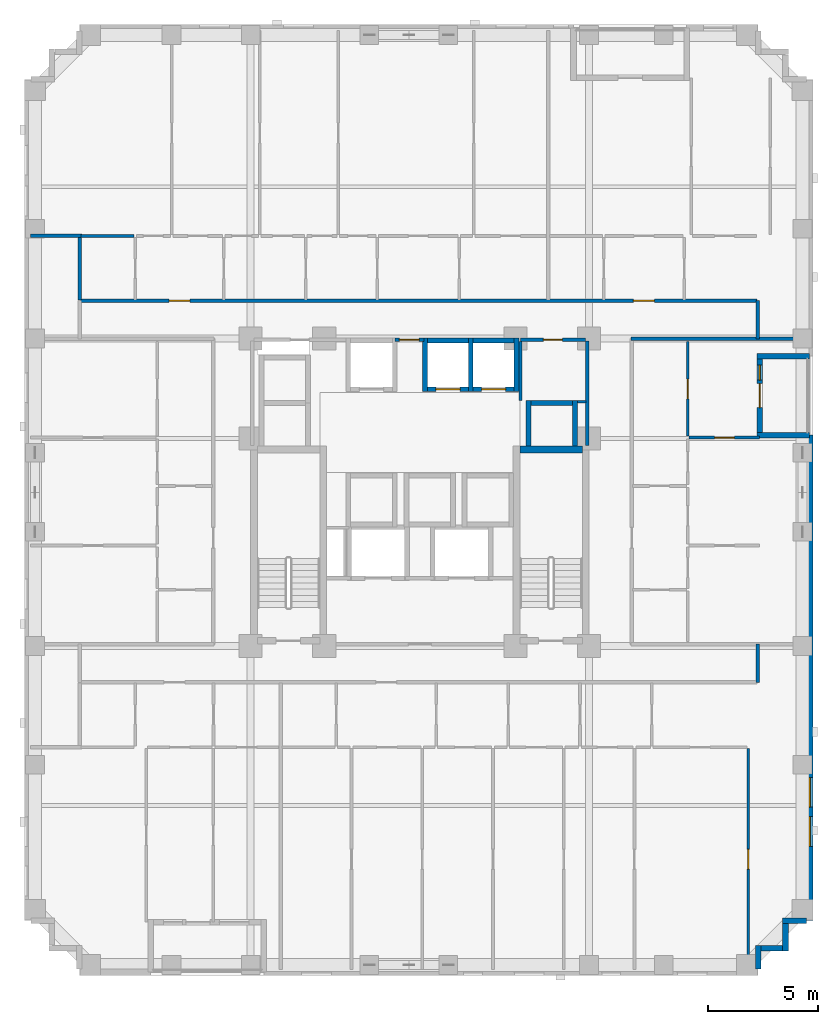
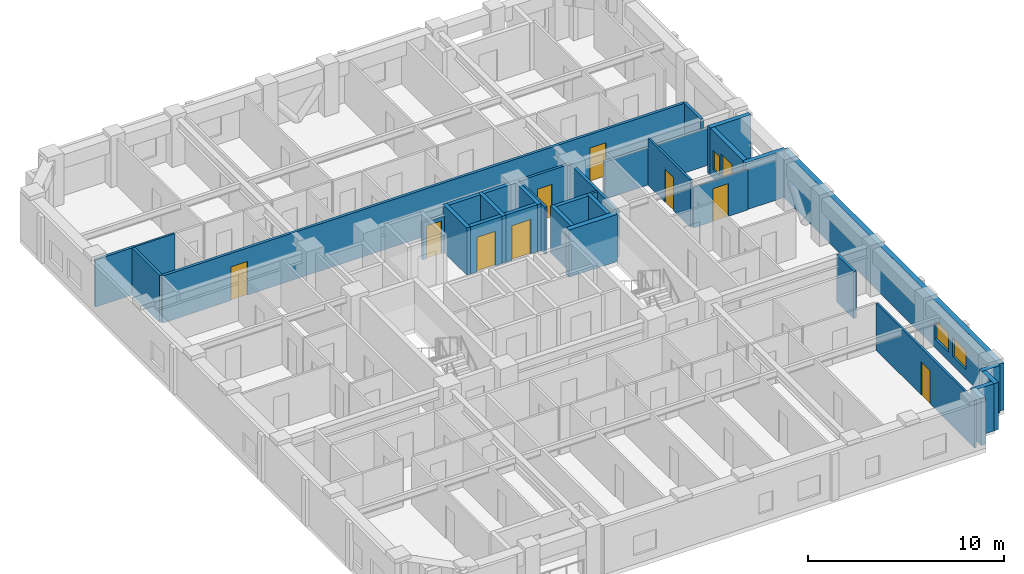
# One storey, part 6 of 12: 34 walls, 10 doors, 3 windows, 13 openings.
"""IFC4 building model written with IfcOpenShell, lengths in metres."""

from ifc_helpers import new_model, si_unit, derived_unit, direction, frame, frame_2d, origin, place, context, subcontext, project, spatial, rectangle, extrude, material, layer, layer_set, type_object, element, fill, save


model = new_model("IFC4")

# Units and contexts
model_context = context("Model", 3, precision=1e-05, world=origin(), true_north=direction((0.0, 1.0)))
body_context = subcontext(model_context, "Body", "Model", "MODEL_VIEW")
ifc_project = project(units=[si_unit("LENGTHUNIT", "METRE"), si_unit("AREAUNIT", "SQUARE_METRE"), si_unit("VOLUMEUNIT", "CUBIC_METRE"), si_unit("PLANEANGLEUNIT", "RADIAN"), si_unit("MASSUNIT", "GRAM", prefix="KILO"), derived_unit("THERMALTRANSMITTANCEUNIT", [(si_unit("MASSUNIT", "GRAM", prefix="KILO"), 1), (si_unit("TIMEUNIT", "SECOND"), -3), (si_unit("THERMODYNAMICTEMPERATUREUNIT", "KELVIN"), -1)])], contexts=[model_context])

# Site, building, storey
site_placement = place(None, origin())
site = spatial("IfcSite", under=ifc_project, at=site_placement, CompositionType="ELEMENT")
building_placement = place(site_placement, origin())
building = spatial("IfcBuilding", under=site, at=building_placement, Name="Korrvale Station Residences", CompositionType="ELEMENT")
storey_placement = place(building_placement, frame((0.0, 0.0, 84.699951171875)))
storey = spatial("IfcBuildingStorey", under=building, at=storey_placement, Name="L23", CompositionType="ELEMENT", Elevation=84.699951171875)

# Walls
ifc_material_1 = material(Name="Concrete C60/75", Category="concrete")
ifc_layer_1 = layer(ifc_material_1, 0.300048828125, Name="Concrete C60/75")
ifc_layer_set_1 = layer_set([ifc_layer_1], Name="Concrete C60/75")
wall_type_1 = type_object("IfcWallType", Name="WAL-CORE-300-C60", PredefinedType="SHEAR", material=ifc_layer_set_1)
wall_1_placement = place(storey_placement, frame((30.050048828125, 23.949951171875, 0.0), z_axis=(0.0, 0.0, 1.0), x_axis=(1.0, 0.0, 0.0)))
element("IfcWall", 1, at=wall_1_placement, inside=storey, type_object=wall_type_1, Name="L23 ST-2 Core Shear Wall North", PredefinedType="SHEAR", context=body_context, shape_type="SweptSolid", body=[
    extrude(rectangle(XDim=2.849853515625, YDim=0.300048828125, at=frame_2d((1.4248046875, 0.0))), origin(), (0.0, 0.0, 1.0), 2.93994140625),
])
ifc_material_2 = material(Name="Precast concrete C45/55", Category="concrete")
ifc_layer_2 = layer(ifc_material_2, 0.260009765625, Name="Precast concrete C45/55")
ifc_layer_set_2 = layer_set([ifc_layer_2], Name="Precast concrete C45/55")
wall_type_2 = type_object("IfcWallType", Name="WAL-EXT-LOG260", PredefinedType="SOLIDWALL", material=ifc_layer_set_2)
wall_2_placement = place(storey_placement, frame((43.239990234375, 28.199951171875, 0.0), z_axis=(0.0, 0.0, 1.0), x_axis=(-1.0, 0.0, 0.0)))
element("IfcWall", 2, at=wall_2_placement, inside=storey, type_object=wall_type_2, Name="L23 Recessed Loggia Wall BAL-L23-E1-L", PredefinedType="SOLIDWALL", context=body_context, shape_type="SweptSolid", body=[
    extrude(rectangle(XDim=2.39990234375, YDim=0.260009765625, at=frame_2d((1.199951171875, 0.0))), origin(), (0.0, 0.0, 1.0), 2.93994140625),
])

# Wall, openings, door, window
wall_3_placement = place(storey_placement, frame((40.969970703125, 28.06591796875, 0.0), z_axis=(0.0, 0.0, 1.0), x_axis=(0.0, -1.0, 0.0)))
wall_3 = element("IfcWall", 3, at=wall_3_placement, inside=storey, type_object=wall_type_2, Name="L23 Recessed Loggia Wall BAL-L23-E1-B", PredefinedType="SOLIDWALL", context=body_context, shape_type="SweptSolid", body=[
    extrude(rectangle(XDim=3.33203125, YDim=0.260009765625, at=frame_2d((1.666015625, 0.0))), origin(), (0.0, 0.0, 1.0), 2.93994140625),
])
opening_1_placement = place(wall_3_placement, frame((1.115966796875, 0.0, 0.0)))
opening_1 = element("IfcOpeningElement", 4, at=opening_1_placement, cuts=wall_3, Name="Opening BD-01", PredefinedType="OPENING", context=body_context, shape_type="SweptSolid", body=[
    extrude(rectangle(XDim=1.10009765625, YDim=2.0, at=frame_2d((0.550048828125, 1.0))), frame((0.0, 0.14013671875, 0.0), z_axis=(0.0, -1.0, 0.0), x_axis=(1.0, 0.0, 0.0)), (0.0, 0.0, 1.0), 0.280029296875),
])
opening_2_placement = place(wall_3_placement, frame((0.27587890625, 0.0, 0.550048828125)))
opening_2 = element("IfcOpeningElement", 5, at=opening_2_placement, cuts=wall_3, Name="Opening W-12", PredefinedType="OPENING", context=body_context, shape_type="SweptSolid", body=[
    extrude(rectangle(XDim=0.679931640625, YDim=1.199951171875, at=frame_2d((0.33984375, 0.60009765625))), frame((0.0, 0.14013671875, 0.0), z_axis=(0.0, -1.0, 0.0), x_axis=(1.0, 0.0, 0.0)), (0.0, 0.0, 1.0), 0.280029296875),
])
ifc_material_3 = material(Name="Exterior thermally broken aluminium glazed balcony door", Category="aluminium")
door_type_1 = type_object("IfcDoorType", Name="DR-EXT-BAL", OperationType="NOTDEFINED", PredefinedType="DOOR", material=ifc_material_3)
door_1_placement = place(opening_1_placement, origin())
door_1 = element("IfcDoor", 6, at=door_1_placement, inside=storey, type_object=door_type_1, Name="L23 Loggia Balcony Door BAL-L23-E1", OperationType="SINGLE_SWING_RIGHT", OverallHeight=2.0, OverallWidth=1.10009765625, PredefinedType="DOOR", context=body_context, shape_type="SweptSolid", body=[
    extrude(rectangle(XDim=1.10009765625, YDim=2.0, at=frame_2d((0.550048828125, 1.0))), frame((0.0, 0.02490234375, 0.0), z_axis=(0.0, -1.0, 0.0), x_axis=(1.0, 0.0, 0.0)), (0.0, 0.0, 1.0), 0.050048828125),
])
fill(opening_1, door_1)
ifc_material_4 = material(Name="Thermally broken aluminium frame with triple low-e glazing", Category="aluminium")
window_type_1 = type_object("IfcWindowType", Name="WIN-W12", PartitioningType="SINGLE_PANEL", PredefinedType="WINDOW", material=ifc_material_4)
window_1_placement = place(opening_2_placement, origin())
window_1 = element("IfcWindow", 7, at=window_1_placement, inside=storey, type_object=window_type_1, Name="L23 Punched Window 21", OverallHeight=1.199951171875, OverallWidth=0.679931640625, PartitioningType="SINGLE_PANEL", PredefinedType="WINDOW", context=body_context, shape_type="SweptSolid", body=[
    extrude(rectangle(XDim=0.679931640625, YDim=1.199951171875, at=frame_2d((0.33984375, 0.60009765625))), frame((0.0, 0.030029296875, 0.0), z_axis=(0.0, -1.0, 0.0), x_axis=(1.0, 0.0, 0.0)), (0.0, 0.0, 1.0), 0.06005859375),
])
fill(opening_2, window_1)

# Walls
wall_4_placement = place(storey_placement, frame((40.840087890625, 24.60009765625, 0.0), z_axis=(0.0, 0.0, 1.0), x_axis=(1.0, 0.0, 0.0)))
element("IfcWall", 8, at=wall_4_placement, inside=storey, type_object=wall_type_2, Name="L23 Recessed Loggia Wall BAL-L23-E1-R", PredefinedType="SOLIDWALL", context=body_context, shape_type="SweptSolid", body=[
    extrude(rectangle(XDim=2.39990234375, YDim=0.260009765625, at=frame_2d((1.199951171875, 0.0))), origin(), (0.0, 0.0, 1.0), 2.93994140625),
])
wall_5_placement = place(storey_placement, frame((43.097900390625, 2.5, 0.0), z_axis=(0.0, 0.0, 1.0), x_axis=(-1.0, 0.0, 0.0)))
element("IfcWall", 9, at=wall_5_placement, inside=storey, type_object=wall_type_2, Name="L23 Serrated Corner Precast Step SE-1", PredefinedType="SOLIDWALL", context=body_context, shape_type="SweptSolid", body=[
    extrude(rectangle(XDim=1.077880859375, YDim=0.260009765625, at=frame_2d((0.5390625, 0.0))), origin(), (0.0, 0.0, 1.0), 2.93994140625),
])
wall_6_placement = place(storey_placement, frame((42.14990234375, 2.367919921875, 0.0), z_axis=(0.0, 0.0, 1.0), x_axis=(0.0, -1.0, 0.0)))
element("IfcWall", 10, at=wall_6_placement, inside=storey, type_object=wall_type_2, Name="L23 Serrated Corner Precast Step SE-2", PredefinedType="SOLIDWALL", context=body_context, shape_type="SweptSolid", body=[
    extrude(rectangle(XDim=1.247802734375, YDim=0.260009765625, at=frame_2d((0.6240234375, 0.0))), origin(), (0.0, 0.0, 1.0), 2.93994140625),
])
wall_7_placement = place(storey_placement, frame((42.01806640625, 1.25, 0.0), z_axis=(0.0, 0.0, 1.0), x_axis=(-1.0, 0.0, 0.0)))
element("IfcWall", 11, at=wall_7_placement, inside=storey, type_object=wall_type_2, Name="L23 Serrated Corner Precast Step SE-3", PredefinedType="SOLIDWALL", context=body_context, shape_type="SweptSolid", body=[
    extrude(rectangle(XDim=0.986083984375, YDim=0.260009765625, at=frame_2d((0.4931640625, 0.0))), origin(), (0.0, 0.0, 1.0), 2.93994140625),
])
wall_8_placement = place(storey_placement, frame((40.89990234375, 1.3798828125, 0.0), z_axis=(0.0, 0.0, 1.0), x_axis=(0.0, -1.0, 0.0)))
element("IfcWall", 12, at=wall_8_placement, inside=storey, type_object=wall_type_2, Name="L23 Serrated Corner Precast Step SE-4", PredefinedType="SOLIDWALL", context=body_context, shape_type="SweptSolid", body=[
    extrude(rectangle(XDim=1.077880859375, YDim=0.260009765625, at=frame_2d((0.5390625, 0.0))), origin(), (0.0, 0.0, 1.0), 2.93994140625),
])

# Wall, openings, windows
ifc_layer_3 = layer(ifc_material_2, 0.300048828125, Name="Precast concrete C45/55")
ifc_layer_set_3 = layer_set([ifc_layer_3], Name="Precast concrete C45/55")
wall_type_3 = type_object("IfcWallType", Name="WAL-EXT-PC300", PredefinedType="SOLIDWALL", material=ifc_layer_set_3)
wall_9_placement = place(storey_placement, frame((43.25, 24.60009765625, 0.0), z_axis=(0.0, 0.0, 1.0), x_axis=(0.0, -1.0, 0.0)))
wall_9 = element("IfcWall", 13, at=wall_9_placement, inside=storey, type_object=wall_type_3, Name="L23 East Exterior Precast Wall 2", PredefinedType="SOLIDWALL", context=body_context, shape_type="SweptSolid", body=[
    extrude(rectangle(XDim=22.10009765625, YDim=0.300048828125, at=frame_2d((11.050048828125, 0.0))), origin(), (0.0, 0.0, 1.0), 2.93994140625),
])
opening_3_placement = place(wall_9_placement, frame((17.365966796875, 0.0, 0.550048828125)))
opening_3 = element("IfcOpeningElement", 14, at=opening_3_placement, cuts=wall_9, Name="Opening W-10", PredefinedType="OPENING", context=body_context, shape_type="SweptSolid", body=[
    extrude(rectangle(XDim=1.35009765625, YDim=1.199951171875, at=frame_2d((0.675048828125, 0.60009765625))), frame((0.0, 0.16015625, 0.0), z_axis=(0.0, -1.0, 0.0), x_axis=(1.0, 0.0, 0.0)), (0.0, 0.0, 1.0), 0.320068359375),
])
opening_4_placement = place(wall_9_placement, frame((15.5849609375, 0.0, 0.550048828125)))
opening_4 = element("IfcOpeningElement", 15, at=opening_4_placement, cuts=wall_9, Name="Opening W-10", PredefinedType="OPENING", context=body_context, shape_type="SweptSolid", body=[
    extrude(rectangle(XDim=1.35009765625, YDim=1.199951171875, at=frame_2d((0.675048828125, 0.60009765625))), frame((0.0, 0.16015625, 0.0), z_axis=(0.0, -1.0, 0.0), x_axis=(1.0, 0.0, 0.0)), (0.0, 0.0, 1.0), 0.320068359375),
])
window_type_2 = type_object("IfcWindowType", Name="WIN-W10", PartitioningType="SINGLE_PANEL", PredefinedType="WINDOW", material=ifc_material_4)
window_2_placement = place(opening_3_placement, origin())
window_2 = element("IfcWindow", 16, at=window_2_placement, inside=storey, type_object=window_type_2, Name="L23 Punched Window 10", OverallHeight=1.199951171875, OverallWidth=1.35009765625, PartitioningType="SINGLE_PANEL", PredefinedType="WINDOW", context=body_context, shape_type="SweptSolid", body=[
    extrude(rectangle(XDim=1.35009765625, YDim=1.199951171875, at=frame_2d((0.675048828125, 0.60009765625))), frame((0.0, 0.030029296875, 0.0), z_axis=(0.0, -1.0, 0.0), x_axis=(1.0, 0.0, 0.0)), (0.0, 0.0, 1.0), 0.06005859375),
])
fill(opening_3, window_2)
window_3_placement = place(opening_4_placement, origin())
window_3 = element("IfcWindow", 17, at=window_3_placement, inside=storey, type_object=window_type_2, Name="L23 Punched Window 11", OverallHeight=1.199951171875, OverallWidth=1.35009765625, PartitioningType="SINGLE_PANEL", PredefinedType="WINDOW", context=body_context, shape_type="SweptSolid", body=[
    extrude(rectangle(XDim=1.35009765625, YDim=1.199951171875, at=frame_2d((0.675048828125, 0.60009765625))), frame((0.0, 0.030029296875, 0.0), z_axis=(0.0, -1.0, 0.0), x_axis=(1.0, 0.0, 0.0)), (0.0, 0.0, 1.0), 0.06005859375),
])
fill(opening_4, window_3)

# Walls
ifc_material_5 = material(Name="Acoustic steel-stud gypsum board partition", Category="steel")
ifc_layer_4 = layer(ifc_material_5, 0.1201171875, Name="Acoustic steel-stud gypsum board partition")
ifc_layer_set_4 = layer_set([ifc_layer_4], Name="Acoustic steel-stud gypsum board partition")
wall_type_4 = type_object("IfcWallType", Name="WAL-PART-125", PredefinedType="PARTITIONING", material=ifc_layer_set_4)
wall_10_placement = place(storey_placement, frame((30.080078125, 26.179931640625, 0.0), z_axis=(0.0, 0.0, 1.0), x_axis=(0.0, 1.0, 0.0)))
element("IfcWall", 18, at=wall_10_placement, inside=storey, type_object=wall_type_4, Name="L23 Core Partition CW-CS-W", PredefinedType="PARTITIONING", context=body_context, shape_type="SweptSolid", body=[
    extrude(rectangle(XDim=2.68017578125, YDim=0.1201171875, at=frame_2d((1.340087890625, 0.0))), origin(), (0.0, 0.0, 1.0), 2.93994140625),
])
wall_11_placement = place(storey_placement, frame((32.679931640625, 26.1201171875, 0.0), z_axis=(0.0, 0.0, 1.0), x_axis=(1.0, 0.0, 0.0)))
element("IfcWall", 19, at=wall_11_placement, inside=storey, type_object=wall_type_4, Name="L23 Core Partition CW-CS-S", PredefinedType="PARTITIONING", context=body_context, shape_type="SweptSolid", body=[
    extrude(rectangle(XDim=0.380126953125, YDim=0.1201171875, at=frame_2d((0.18994140625, 0.0))), origin(), (0.0, 0.0, 1.0), 2.93994140625),
])

# Wall, opening, door
wall_12_placement = place(storey_placement, frame((40.449951171875, 0.280029296875, 0.0), z_axis=(0.0, 0.0, 1.0), x_axis=(0.0, 1.0, 0.0)))
wall_12 = element("IfcWall", 20, at=wall_12_placement, inside=storey, type_object=wall_type_4, Name="L23 Suite Partition U02-V1112", PredefinedType="PARTITIONING", context=body_context, shape_type="SweptSolid", body=[
    extrude(rectangle(XDim=10.06005859375, YDim=0.1201171875, at=frame_2d((5.030029296875, 0.0))), origin(), (0.0, 0.0, 1.0), 2.93994140625),
])
opening_5_placement = place(wall_12_placement, frame((4.56494140625, 0.0, 0.0)))
opening_5 = element("IfcOpeningElement", 21, at=opening_5_placement, cuts=wall_12, Name="Opening DI-900", PredefinedType="OPENING", context=body_context, shape_type="SweptSolid", body=[
    extrude(rectangle(XDim=0.89990234375, YDim=2.050048828125, at=frame_2d((0.449951171875, 1.02490234375))), frame((0.0, 0.070068359375, 0.0), z_axis=(0.0, -1.0, 0.0), x_axis=(1.0, 0.0, 0.0)), (0.0, 0.0, 1.0), 0.14013671875),
])
ifc_material_6 = material(Name="Painted solid-core timber interior room door", Category="wood")
door_type_2 = type_object("IfcDoorType", Name="DR-INT-900", OperationType="NOTDEFINED", PredefinedType="DOOR", material=ifc_material_6)
door_2_placement = place(opening_5_placement, origin())
door_2 = element("IfcDoor", 22, at=door_2_placement, inside=storey, type_object=door_type_2, Name="L23 Studio Apartment L23-U02 Studio Living Room Door", OperationType="SINGLE_SWING_LEFT", OverallHeight=2.050048828125, OverallWidth=0.89990234375, PredefinedType="DOOR", context=body_context, shape_type="SweptSolid", body=[
    extrude(rectangle(XDim=0.89990234375, YDim=2.050048828125, at=frame_2d((0.449951171875, 1.02490234375))), frame((0.0, 0.02490234375, 0.0), z_axis=(0.0, -1.0, 0.0), x_axis=(1.0, 0.0, 0.0)), (0.0, 0.0, 1.0), 0.050048828125),
])
fill(opening_5, door_2)

# Wall
wall_13_placement = place(storey_placement, frame((10.080078125, 33.669921875, 0.0), z_axis=(0.0, 0.0, 1.0), x_axis=(1.0, 0.0, 0.0)))
element("IfcWall", 23, at=wall_13_placement, inside=storey, type_object=wall_type_4, Name="L23 Suite Partition U03-H06", PredefinedType="PARTITIONING", context=body_context, shape_type="SweptSolid", body=[
    extrude(rectangle(XDim=2.39990234375, YDim=0.1201171875, at=frame_2d((1.199951171875, 0.0))), origin(), (0.0, 0.0, 1.0), 2.93994140625),
])

# Wall, opening, door
wall_14_placement = place(storey_placement, frame((37.699951171875, 24.552001953125, 0.0), z_axis=(0.0, 0.0, 1.0), x_axis=(0.0, 1.0, 0.0)))
wall_14 = element("IfcWall", 24, at=wall_14_placement, inside=storey, type_object=wall_type_4, Name="L23 Suite Partition U06-V05", PredefinedType="PARTITIONING", context=body_context, shape_type="SweptSolid", body=[
    extrude(rectangle(XDim=4.30810546875, YDim=0.1201171875, at=frame_2d((2.154052734375, 0.0))), origin(), (0.0, 0.0, 1.0), 2.93994140625),
])
opening_6_placement = place(wall_14_placement, frame((1.7041015625, 0.0, 0.0)))
opening_6 = element("IfcOpeningElement", 25, at=opening_6_placement, cuts=wall_14, Name="Opening DI-900", PredefinedType="OPENING", context=body_context, shape_type="SweptSolid", body=[
    extrude(rectangle(XDim=0.89990234375, YDim=2.050048828125, at=frame_2d((0.449951171875, 1.02490234375))), frame((0.0, 0.070068359375, 0.0), z_axis=(0.0, -1.0, 0.0), x_axis=(1.0, 0.0, 0.0)), (0.0, 0.0, 1.0), 0.14013671875),
])
door_3_placement = place(opening_6_placement, origin())
door_3 = element("IfcDoor", 26, at=door_3_placement, inside=storey, type_object=door_type_2, Name="L23 Apartment 2BR L23-U06 Wardrobe Storage Room Door", OperationType="SINGLE_SWING_LEFT", OverallHeight=2.050048828125, OverallWidth=0.89990234375, PredefinedType="DOOR", context=body_context, shape_type="SweptSolid", body=[
    extrude(rectangle(XDim=0.89990234375, YDim=2.050048828125, at=frame_2d((0.449951171875, 1.02490234375))), frame((0.0, 0.02490234375, 0.0), z_axis=(0.0, -1.0, 0.0), x_axis=(1.0, 0.0, 0.0)), (0.0, 0.0, 1.0), 0.050048828125),
])
fill(opening_6, door_3)

wall_15_placement = place(storey_placement, frame((37.760009765625, 24.491943359375, 0.0), z_axis=(0.0, 0.0, 1.0), x_axis=(1.0, 0.0, 0.0)))
wall_15 = element("IfcWall", 27, at=wall_15_placement, inside=storey, type_object=wall_type_4, Name="L23 Suite Partition U06-H45", PredefinedType="PARTITIONING", context=body_context, shape_type="SweptSolid", body=[
    extrude(rectangle(XDim=3.2099609375, YDim=0.1201171875, at=frame_2d((1.60498046875, 0.0))), origin(), (0.0, 0.0, 1.0), 2.51806640625),
])
opening_7_placement = place(wall_15_placement, frame((1.155029296875, 0.0, 0.0)))
opening_7 = element("IfcOpeningElement", 28, at=opening_7_placement, cuts=wall_15, Name="Opening DI-900", PredefinedType="OPENING", context=body_context, shape_type="SweptSolid", body=[
    extrude(rectangle(XDim=0.89990234375, YDim=2.050048828125, at=frame_2d((0.449951171875, 1.02490234375))), frame((0.0, 0.070068359375, 0.0), z_axis=(0.0, -1.0, 0.0), x_axis=(1.0, 0.0, 0.0)), (0.0, 0.0, 1.0), 0.14013671875),
])
door_4_placement = place(opening_7_placement, origin())
door_4 = element("IfcDoor", 29, at=door_4_placement, inside=storey, type_object=door_type_2, Name="L23 Apartment 2BR L23-U06 Living and Dining Room Door", OperationType="SINGLE_SWING_RIGHT", OverallHeight=2.050048828125, OverallWidth=0.89990234375, PredefinedType="DOOR", context=body_context, shape_type="SweptSolid", body=[
    extrude(rectangle(XDim=0.89990234375, YDim=2.050048828125, at=frame_2d((0.449951171875, 1.02490234375))), frame((0.0, 0.02490234375, 0.0), z_axis=(0.0, -1.0, 0.0), x_axis=(1.0, 0.0, 0.0)), (0.0, 0.0, 1.0), 0.050048828125),
])
fill(opening_7, door_4)

# Wall
ifc_material_7 = material(Name="Fire-rated twin-stud gypsum and mineral wool shaftwall assembly", Category="gypsum")
ifc_layer_5 = layer(ifc_material_7, 0.159912109375, Name="Fire-rated twin-stud gypsum and mineral wool shaftwall assembly")
ifc_layer_set_5 = layer_set([ifc_layer_5], Name="Fire-rated twin-stud gypsum and mineral wool shaftwall assembly")
wall_type_5 = type_object("IfcWallType", Name="WAL-PART-200", PredefinedType="PARTITIONING", material=ifc_layer_set_5)
wall_16_placement = place(storey_placement, frame((33.1201171875, 24.1201171875, 0.0), z_axis=(0.0, 0.0, 1.0), x_axis=(0.0, 1.0, 0.0)))
element("IfcWall", 30, at=wall_16_placement, inside=storey, type_object=wall_type_5, Name="L23 Core Partition CW-E-N", PredefinedType="PARTITIONING", context=body_context, shape_type="SweptSolid", body=[
    extrude(rectangle(XDim=4.759765625, YDim=0.159912109375, at=frame_2d((2.3798828125, 0.0))), origin(), (0.0, 0.0, 1.0), 2.93994140625),
])

# Wall, opening, door
wall_17_placement = place(storey_placement, frame((24.360107421875, 28.949951171875, 0.0), z_axis=(0.0, 0.0, 1.0), x_axis=(1.0, 0.0, 0.0)))
wall_17 = element("IfcWall", 31, at=wall_17_placement, inside=storey, type_object=wall_type_5, Name="L23 Core Partition CW-LLOB-N", PredefinedType="PARTITIONING", context=body_context, shape_type="SweptSolid", body=[
    extrude(rectangle(XDim=1.31982421875, YDim=0.159912109375, at=frame_2d((0.659912109375, 0.0))), origin(), (0.0, 0.0, 1.0), 2.30908203125),
])
opening_8_placement = place(wall_17_placement, frame((0.2099609375, 0.0, 0.0)))
opening_8 = element("IfcOpeningElement", 32, at=opening_8_placement, cuts=wall_17, Name="Opening DI-900", PredefinedType="OPENING", context=body_context, shape_type="SweptSolid", body=[
    extrude(rectangle(XDim=0.89990234375, YDim=2.050048828125, at=frame_2d((0.449951171875, 1.02490234375))), frame((0.0, 0.08984375, 0.0), z_axis=(0.0, -1.0, 0.0), x_axis=(1.0, 0.0, 0.0)), (0.0, 0.0, 1.0), 0.179931640625),
])
door_5_placement = place(opening_8_placement, origin())
door_5 = element("IfcDoor", 33, at=door_5_placement, inside=storey, type_object=door_type_2, Name="L23 Central Hallway North Passage Door", OperationType="SINGLE_SWING_LEFT", OverallHeight=2.050048828125, OverallWidth=0.89990234375, PredefinedType="DOOR", context=body_context, shape_type="SweptSolid", body=[
    extrude(rectangle(XDim=0.89990234375, YDim=2.050048828125, at=frame_2d((0.449951171875, 1.02490234375))), frame((0.0, 0.02490234375, 0.0), z_axis=(0.0, -1.0, 0.0), x_axis=(1.0, 0.0, 0.0)), (0.0, 0.0, 1.0), 0.050048828125),
])
fill(opening_8, door_5)

wall_18_placement = place(storey_placement, frame((30.080078125, 28.949951171875, 0.0), z_axis=(0.0, 0.0, 1.0), x_axis=(1.0, 0.0, 0.0)))
wall_18 = element("IfcWall", 34, at=wall_18_placement, inside=storey, type_object=wall_type_5, Name="L23 Core Partition CW-CS-N", PredefinedType="PARTITIONING", context=body_context, shape_type="SweptSolid", body=[
    extrude(rectangle(XDim=2.9599609375, YDim=0.159912109375, at=frame_2d((1.47998046875, 0.0))), origin(), (0.0, 0.0, 1.0), 2.93994140625),
])
opening_9_placement = place(wall_18_placement, frame((1.044921875, 0.0, 0.0)))
opening_9 = element("IfcOpeningElement", 35, at=opening_9_placement, cuts=wall_18, Name="Opening DB-860", PredefinedType="OPENING", context=body_context, shape_type="SweptSolid", body=[
    extrude(rectangle(XDim=0.860107421875, YDim=2.050048828125, at=frame_2d((0.43017578125, 1.02490234375))), frame((0.0, 0.08984375, 0.0), z_axis=(0.0, -1.0, 0.0), x_axis=(1.0, 0.0, 0.0)), (0.0, 0.0, 1.0), 0.179931640625),
])
ifc_material_8 = material(Name="Moisture-resistant solid-core bathroom door", Category="timber")
door_type_3 = type_object("IfcDoorType", Name="DR-BATH-860", OperationType="NOTDEFINED", PredefinedType="DOOR", material=ifc_material_8)
door_6_placement = place(opening_9_placement, origin())
door_6 = element("IfcDoor", 36, at=door_6_placement, inside=storey, type_object=door_type_3, Name="L23 Parcel Room Door", OperationType="SINGLE_SWING_LEFT", OverallHeight=2.050048828125, OverallWidth=0.860107421875, PredefinedType="DOOR", context=body_context, shape_type="SweptSolid", body=[
    extrude(rectangle(XDim=0.860107421875, YDim=2.050048828125, at=frame_2d((0.43017578125, 1.02490234375))), frame((0.0, 0.02490234375, 0.0), z_axis=(0.0, -1.0, 0.0), x_axis=(1.0, 0.0, 0.0)), (0.0, 0.0, 1.0), 0.050048828125),
])
fill(opening_9, door_6)

# Walls
for number, where, z_axis, x_axis, name in (
    (37, (40.8798828125, 13.35009765625, 0.0), (0.0, 0.0, 1.0), (0.0, 1.0, 0.0), "L23 Corridor South East Cap"),
    (38, (40.8798828125, 28.97998046875, 0.0), (0.0, 0.0, 1.0), (0.0, 1.0, 0.0), "L23 Corridor North East Cap"),
):
    element("IfcWall", number, at=place(storey_placement, frame(where, z_axis=z_axis, x_axis=x_axis)), inside=storey, type_object=wall_type_5, Name=name, PredefinedType="PARTITIONING", context=body_context, shape_type="SweptSolid", body=[
        extrude(rectangle(XDim=1.739990234375, YDim=0.159912109375, at=frame_2d((0.8701171875, 0.0))), origin(), (0.0, 0.0, 1.0), 2.93994140625),
    ])
wall_19_placement = place(storey_placement, frame((35.110107421875, 28.97998046875, 0.0), z_axis=(0.0, 0.0, 1.0), x_axis=(1.0, 0.0, 0.0)))
element("IfcWall", 39, at=wall_19_placement, inside=storey, type_object=wall_type_5, Name="L23 East Wing North Corridor Wall", PredefinedType="PARTITIONING", context=body_context, shape_type="SweptSolid", body=[
    extrude(rectangle(XDim=8.010009765625, YDim=0.159912109375, at=frame_2d((4.0048828125, 0.0))), origin(), (0.0, 0.0, 1.0), 2.30908203125),
])
wall_20_placement = place(storey_placement, frame((7.780029296875, 33.669921875, 0.0), z_axis=(0.0, 0.0, 1.0), x_axis=(1.0, 0.0, 0.0)))
element("IfcWall", 40, at=wall_20_placement, inside=storey, type_object=wall_type_5, Name="L23 Corner Step Wall U03-L", PredefinedType="PARTITIONING", context=body_context, shape_type="SweptSolid", body=[
    extrude(rectangle(XDim=2.340087890625, YDim=0.159912109375, at=frame_2d((1.169921875, 0.0))), origin(), (0.0, 0.0, 1.0), 2.93994140625),
])
wall_21_placement = place(storey_placement, frame((10.02001953125, 30.760009765625, 0.0), z_axis=(0.0, 0.0, 1.0), x_axis=(0.0, 1.0, 0.0)))
element("IfcWall", 41, at=wall_21_placement, inside=storey, type_object=wall_type_5, Name="L23 Corner Step Cheek U03-L", PredefinedType="PARTITIONING", context=body_context, shape_type="SweptSolid", body=[
    extrude(rectangle(XDim=2.909912109375, YDim=0.159912109375, at=frame_2d((1.455078125, 0.0))), origin(), (0.0, 0.0, 1.0), 2.93994140625),
])

# Wall, openings, doors
wall_22_placement = place(storey_placement, frame((10.050048828125, 30.719970703125, 0.0), z_axis=(0.0, 0.0, 1.0), x_axis=(1.0, 0.0, 0.0)))
wall_22 = element("IfcWall", 42, at=wall_22_placement, inside=storey, type_object=wall_type_5, Name="L23 Rated Corridor Wall N", PredefinedType="PARTITIONING", context=body_context, shape_type="SweptSolid", body=[
    extrude(rectangle(XDim=30.800048828125, YDim=0.159912109375, at=frame_2d((15.39990234375, 0.0))), origin(), (0.0, 0.0, 1.0), 2.93994140625),
])
opening_10_placement = place(wall_22_placement, frame((4.034912109375, 0.0, 0.0)))
opening_10 = element("IfcOpeningElement", 43, at=opening_10_placement, cuts=wall_22, Name="Opening UD-950", PredefinedType="OPENING", context=body_context, shape_type="SweptSolid", body=[
    extrude(rectangle(XDim=0.949951171875, YDim=2.10009765625, at=frame_2d((0.47509765625, 1.050048828125))), frame((0.0, 0.08984375, 0.0), z_axis=(0.0, -1.0, 0.0), x_axis=(1.0, 0.0, 0.0)), (0.0, 0.0, 1.0), 0.179931640625),
])
opening_11_placement = place(wall_22_placement, frame((25.175048828125, 0.0, 0.0)))
opening_11 = element("IfcOpeningElement", 44, at=opening_11_placement, cuts=wall_22, Name="Opening UD-950", PredefinedType="OPENING", context=body_context, shape_type="SweptSolid", body=[
    extrude(rectangle(XDim=0.949951171875, YDim=2.10009765625, at=frame_2d((0.47509765625, 1.050048828125))), frame((0.0, 0.08984375, 0.0), z_axis=(0.0, -1.0, 0.0), x_axis=(1.0, 0.0, 0.0)), (0.0, 0.0, 1.0), 0.179931640625),
])
ifc_material_9 = material(Name="Solid-core acoustic oak apartment entrance door", Category="timber")
door_type_4 = type_object("IfcDoorType", Name="DR-UNIT-950", OperationType="NOTDEFINED", PredefinedType="DOOR", material=ifc_material_9)
door_7_placement = place(opening_10_placement, origin())
door_7 = element("IfcDoor", 45, at=door_7_placement, inside=storey, type_object=door_type_4, Name="L23 Apartment L23-U03 Entrance Door", OperationType="SINGLE_SWING_LEFT", OverallHeight=2.10009765625, OverallWidth=0.949951171875, PredefinedType="DOOR", context=body_context, shape_type="SweptSolid", body=[
    extrude(rectangle(XDim=0.949951171875, YDim=2.10009765625, at=frame_2d((0.47509765625, 1.050048828125))), frame((0.0, 0.02490234375, 0.0), z_axis=(0.0, -1.0, 0.0), x_axis=(1.0, 0.0, 0.0)), (0.0, 0.0, 1.0), 0.050048828125),
])
fill(opening_10, door_7)
door_8_placement = place(opening_11_placement, origin())
door_8 = element("IfcDoor", 46, at=door_8_placement, inside=storey, type_object=door_type_4, Name="L23 Apartment L23-U04 Entrance Door", OperationType="SINGLE_SWING_RIGHT", OverallHeight=2.10009765625, OverallWidth=0.949951171875, PredefinedType="DOOR", context=body_context, shape_type="SweptSolid", body=[
    extrude(rectangle(XDim=0.949951171875, YDim=2.10009765625, at=frame_2d((0.47509765625, 1.050048828125))), frame((0.0, 0.02490234375, 0.0), z_axis=(0.0, -1.0, 0.0), x_axis=(1.0, 0.0, 0.0)), (0.0, 0.0, 1.0), 0.050048828125),
])
fill(opening_11, door_8)

# Wall, opening, door
ifc_layer_6 = layer(ifc_material_1, 0.219970703125, Name="Concrete C60/75")
ifc_layer_set_6 = layer_set([ifc_layer_6], Name="Concrete C60/75")
wall_type_6 = type_object("IfcWallType", Name="WAL-SHAFT-220-C60", PredefinedType="SHEAR", material=ifc_layer_set_6)
wall_23_placement = place(storey_placement, frame((25.85009765625, 26.68994140625, 0.0), z_axis=(0.0, 0.0, 1.0), x_axis=(1.0, 0.0, 0.0)))
wall_23 = element("IfcWall", 47, at=wall_23_placement, inside=storey, type_object=wall_type_6, Name="L23 Elevator PL-2 Hoistway Wall South", PredefinedType="SHEAR", context=body_context, shape_type="SweptSolid", body=[
    extrude(rectangle(XDim=1.85986328125, YDim=0.219970703125, at=frame_2d((0.929931640625, 0.0))), origin(), (0.0, 0.0, 1.0), 2.93994140625),
])
opening_12_placement = place(wall_23_placement, frame((0.3798828125, 0.0, 0.0)))
opening_12 = element("IfcOpeningElement", 48, at=opening_12_placement, cuts=wall_23, Name="Opening LD-1100", PredefinedType="OPENING", context=body_context, shape_type="SweptSolid", body=[
    extrude(rectangle(XDim=1.10009765625, YDim=2.14990234375, at=frame_2d((0.550048828125, 1.074951171875))), frame((0.0, 0.1201171875, 0.0), z_axis=(0.0, -1.0, 0.0), x_axis=(1.0, 0.0, 0.0)), (0.0, 0.0, 1.0), 0.239990234375),
])
ifc_material_10 = material(Name="Brushed stainless-steel elevator landing sliding door", Category="steel")
door_type_5 = type_object("IfcDoorType", Name="DR-LIFT-1100", OperationType="SLIDING_TO_LEFT", PredefinedType="DOOR", material=ifc_material_10)
door_9_placement = place(opening_12_placement, origin())
door_9 = element("IfcDoor", 49, at=door_9_placement, inside=storey, type_object=door_type_5, Name="L23 Elevator PL-2 Sliding Landing Door", OperationType="SLIDING_TO_LEFT", OverallHeight=2.14990234375, OverallWidth=1.10009765625, PredefinedType="DOOR", context=body_context, shape_type="SweptSolid", body=[
    extrude(rectangle(XDim=1.10009765625, YDim=2.14990234375, at=frame_2d((0.550048828125, 1.074951171875))), frame((0.0, 0.02490234375, 0.0), z_axis=(0.0, -1.0, 0.0), x_axis=(1.0, 0.0, 0.0)), (0.0, 0.0, 1.0), 0.050048828125),
])
fill(opening_12, door_9)

# Walls
wall_24_placement = place(storey_placement, frame((25.85009765625, 28.909912109375, 0.0), z_axis=(0.0, 0.0, 1.0), x_axis=(1.0, 0.0, 0.0)))
element("IfcWall", 50, at=wall_24_placement, inside=storey, type_object=wall_type_6, Name="L23 Elevator PL-2 Hoistway Wall North", PredefinedType="SHEAR", context=body_context, shape_type="SweptSolid", body=[
    extrude(rectangle(XDim=1.85986328125, YDim=0.219970703125, at=frame_2d((0.929931640625, 0.0))), origin(), (0.0, 0.0, 1.0), 2.93994140625),
])
for number, where, z_axis, x_axis, name in (
    (51, (25.739990234375, 26.580078125, 0.0), (0.0, 0.0, 1.0), (0.0, 1.0, 0.0), "L23 Elevator PL-2 Hoistway Wall West"),
    (52, (27.820068359375, 26.580078125, 0.0), (0.0, 0.0, 1.0), (0.0, 1.0, 0.0), "L23 Elevator PL-2 Hoistway Wall East"),
):
    element("IfcWall", number, at=place(storey_placement, frame(where, z_axis=z_axis, x_axis=x_axis)), inside=storey, type_object=wall_type_6, Name=name, PredefinedType="SHEAR", context=body_context, shape_type="SweptSolid", body=[
        extrude(rectangle(XDim=2.43994140625, YDim=0.219970703125, at=frame_2d((1.219970703125, 0.0))), origin(), (0.0, 0.0, 1.0), 2.93994140625),
    ])

# Wall, opening, door
wall_25_placement = place(storey_placement, frame((27.929931640625, 26.68994140625, 0.0), z_axis=(0.0, 0.0, 1.0), x_axis=(1.0, 0.0, 0.0)))
wall_25 = element("IfcWall", 53, at=wall_25_placement, inside=storey, type_object=wall_type_6, Name="L23 Elevator PL-3 Hoistway Wall South", PredefinedType="SHEAR", context=body_context, shape_type="SweptSolid", body=[
    extrude(rectangle(XDim=1.860107421875, YDim=0.219970703125, at=frame_2d((0.93017578125, 0.0))), origin(), (0.0, 0.0, 1.0), 2.93994140625),
])
opening_13_placement = place(wall_25_placement, frame((0.3798828125, 0.0, 0.0)))
opening_13 = element("IfcOpeningElement", 54, at=opening_13_placement, cuts=wall_25, Name="Opening LD-1100", PredefinedType="OPENING", context=body_context, shape_type="SweptSolid", body=[
    extrude(rectangle(XDim=1.10009765625, YDim=2.14990234375, at=frame_2d((0.550048828125, 1.074951171875))), frame((0.0, 0.1201171875, 0.0), z_axis=(0.0, -1.0, 0.0), x_axis=(1.0, 0.0, 0.0)), (0.0, 0.0, 1.0), 0.239990234375),
])
door_10_placement = place(opening_13_placement, origin())
door_10 = element("IfcDoor", 55, at=door_10_placement, inside=storey, type_object=door_type_5, Name="L23 Elevator PL-3 Sliding Landing Door", OperationType="SLIDING_TO_LEFT", OverallHeight=2.14990234375, OverallWidth=1.10009765625, PredefinedType="DOOR", context=body_context, shape_type="SweptSolid", body=[
    extrude(rectangle(XDim=1.10009765625, YDim=2.14990234375, at=frame_2d((0.550048828125, 1.074951171875))), frame((0.0, 0.02490234375, 0.0), z_axis=(0.0, -1.0, 0.0), x_axis=(1.0, 0.0, 0.0)), (0.0, 0.0, 1.0), 0.050048828125),
])
fill(opening_13, door_10)

# Walls
wall_26_placement = place(storey_placement, frame((27.929931640625, 28.909912109375, 0.0), z_axis=(0.0, 0.0, 1.0), x_axis=(1.0, 0.0, 0.0)))
element("IfcWall", 56, at=wall_26_placement, inside=storey, type_object=wall_type_6, Name="L23 Elevator PL-3 Hoistway Wall North", PredefinedType="SHEAR", context=body_context, shape_type="SweptSolid", body=[
    extrude(rectangle(XDim=1.860107421875, YDim=0.219970703125, at=frame_2d((0.93017578125, 0.0))), origin(), (0.0, 0.0, 1.0), 2.93994140625),
])
wall_27_placement = place(storey_placement, frame((29.89990234375, 26.580078125, 0.0), z_axis=(0.0, 0.0, 1.0), x_axis=(0.0, 1.0, 0.0)))
element("IfcWall", 57, at=wall_27_placement, inside=storey, type_object=wall_type_6, Name="L23 Elevator PL-3 Hoistway Wall East", PredefinedType="SHEAR", context=body_context, shape_type="SweptSolid", body=[
    extrude(rectangle(XDim=2.43994140625, YDim=0.219970703125, at=frame_2d((1.219970703125, 0.0))), origin(), (0.0, 0.0, 1.0), 2.93994140625),
])
wall_28_placement = place(storey_placement, frame((30.550048828125, 26.06005859375, 0.0), z_axis=(0.0, 0.0, 1.0), x_axis=(1.0, 0.0, 0.0)))
element("IfcWall", 58, at=wall_28_placement, inside=storey, type_object=wall_type_6, Name="L23 Elevator PH-3 Hoistway Wall North", PredefinedType="SHEAR", context=body_context, shape_type="SweptSolid", body=[
    extrude(rectangle(XDim=1.89990234375, YDim=0.219970703125, at=frame_2d((0.949951171875, 0.0))), origin(), (0.0, 0.0, 1.0), 2.93994140625),
])
for number, where, z_axis, x_axis, name in (
    (59, (30.43994140625, 24.10009765625, 0.0), (0.0, 0.0, 1.0), (0.0, 1.0, 0.0), "L23 Elevator PH-3 Hoistway Wall West"),
    (60, (32.56005859375, 24.10009765625, 0.0), (0.0, 0.0, 1.0), (0.0, 1.0, 0.0), "L23 Elevator PH-3 Hoistway Wall East"),
):
    element("IfcWall", number, at=place(storey_placement, frame(where, z_axis=z_axis, x_axis=x_axis)), inside=storey, type_object=wall_type_6, Name=name, PredefinedType="SHEAR", context=body_context, shape_type="SweptSolid", body=[
        extrude(rectangle(XDim=2.06982421875, YDim=0.219970703125, at=frame_2d((1.034912109375, 0.0))), origin(), (0.0, 0.0, 1.0), 2.93994140625),
    ])

save(model, "model.ifc")
